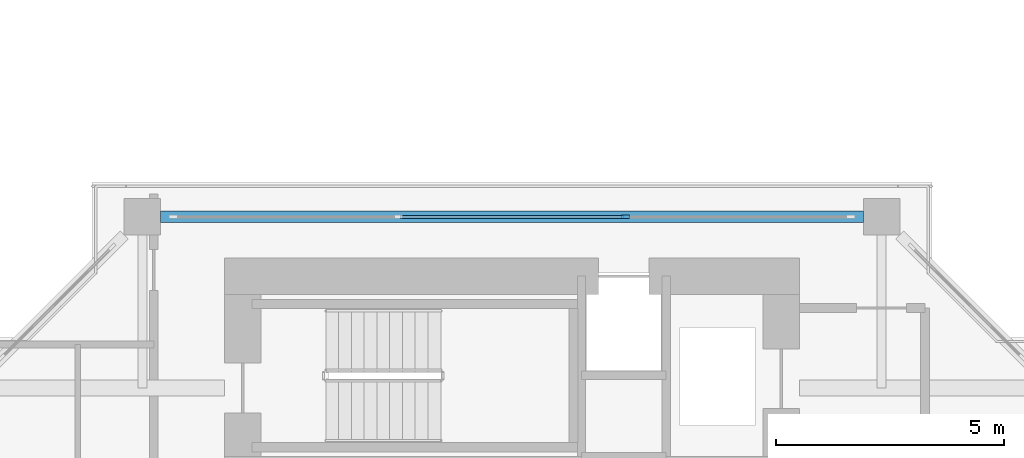
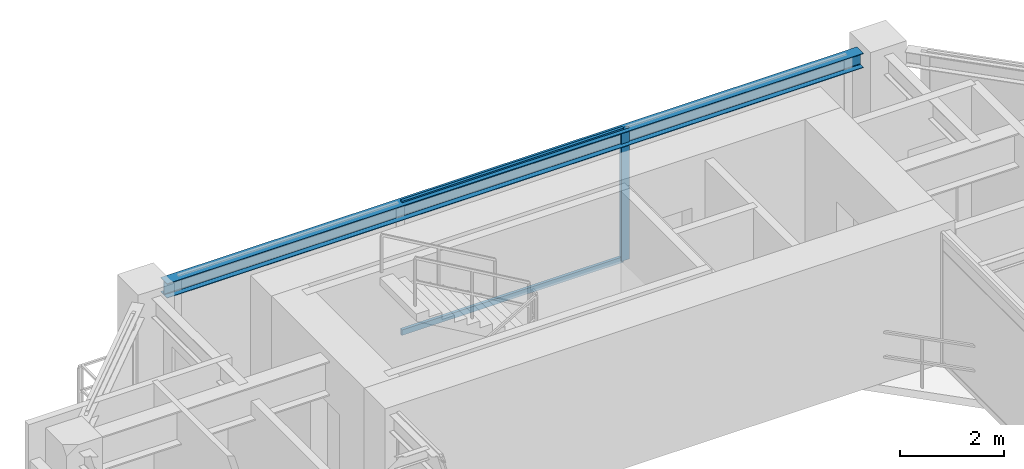
# One storey, part 10 of 24: 3 members, 1 beam, 1 element without a shape of its own.
"""IFC4 building model written with IfcOpenShell, lengths in metres."""

from ifc_helpers import new_model, si_unit, direction, frame, origin, origin_2d, place, context, subcontext, project, spatial, rectangle, i_section, extrude, source, transform, mapped, material, layer, layer_set, material_profile, profile_set, type_object, element, aggregate, save


model = new_model("IFC4")

# Units and contexts
model_context = context("Model", 3, precision=1e-05, world=origin(), true_north=direction((0.0, 1.0)))
body_context = subcontext(model_context, "Body", "Model", "MODEL_VIEW")
ifc_project = project(units=[si_unit("LENGTHUNIT", "METRE"), si_unit("AREAUNIT", "SQUARE_METRE"), si_unit("VOLUMEUNIT", "CUBIC_METRE"), si_unit("PLANEANGLEUNIT", "RADIAN"), si_unit("MASSUNIT", "GRAM", prefix="KILO"), si_unit("THERMODYNAMICTEMPERATUREUNIT", "KELVIN"), si_unit("POWERUNIT", "WATT")], contexts=[model_context])

# Site, building, storey
site_placement = place(None, origin())
site = spatial("IfcSite", under=ifc_project, at=site_placement, CompositionType="ELEMENT")
building_placement = place(site_placement, origin())
building = spatial("IfcBuilding", under=site, at=building_placement, Name="Qiaomeng Ring Towers", CompositionType="ELEMENT")
storey_placement = place(building_placement, frame((0.0, 0.0, 106.75)))
storey = spatial("IfcBuildingStorey", under=building, at=storey_placement, Name="L30", CompositionType="ELEMENT", Elevation=106.75)

# Beam
ifc_material_1 = material(Name="Steel Q355B", Category="steel")
ifc_material_profile_1 = material_profile(ifc_material_1, i_section(OverallWidth=0.25, OverallDepth=0.340087890625, WebThickness=0.009033203125, FlangeThickness=0.013916015625, FilletRadius=0.02001953125, at=origin_2d()), Name="HM 340x250x9x14")
ifc_profile_set_1 = profile_set([ifc_material_profile_1], Name="Steel Q355B")
beam_type = type_object("IfcBeamType", Name="STR-BM-HM340", PredefinedType="SPANDREL", material=ifc_profile_set_1)
shared_shape_1 = source(origin(), body_context, "Body", "SweptSolid", [
    extrude(i_section(OverallWidth=0.25, OverallDepth=0.340087890625, WebThickness=0.009033203125, FlangeThickness=0.013916015625, FilletRadius=0.02001953125, at=origin_2d()), origin(), (0.0, 0.0, 1.0), 15.40185546875),
])
beam_placement = place(storey_placement, frame((68.200927734375, 34.85009765625, 2.89990234375), z_axis=(-1.0, 0.0, 0.0), x_axis=(0.0, -1.0, 0.0)))
element("IfcBeam", 1, at=beam_placement, inside=storey, type_object=beam_type, Name="L30 beam STR-SP-L30-T2-N2-N1", PredefinedType="SPANDREL", context=body_context, shape_type="MappedRepresentation", body=[
    mapped(shared_shape_1, transform((0.0, 0.0, 0.0), x_axis=(1.0, 0.0, 0.0), y_axis=(0.0, 1.0, 0.0), z_axis=(0.0, 0.0, 1.0), scale=1.0)),
])

# Curtain wall, members
ifc_material_2 = material(Name="Fluorocarbon dark-grey aluminium", Category="aluminium")
ifc_layer = layer(ifc_material_2, 0.14990234375, Name="Fluorocarbon dark-grey aluminium")
ifc_layer_set = layer_set([ifc_layer], Name="Fluorocarbon dark-grey aluminium")
curtain_wall_type = type_object("IfcCurtainWallType", Name="ARC-CW-5", PredefinedType="NOTDEFINED", material=ifc_layer_set)
curtain_wall_placement = place(storey_placement, origin())
curtain_wall = element("IfcCurtainWall", 2, at=curtain_wall_placement, inside=storey, type_object=curtain_wall_type, Name="L30 Curtain Wall CW5", PredefinedType="NOTDEFINED")
ifc_material_profile_2 = material_profile(ifc_material_2, rectangle(XDim=0.070068359375, YDim=0.179931640625, at=origin_2d()), Name="ALU MULL 70x180")
ifc_profile_set_2 = profile_set([ifc_material_profile_2], Name="Fluorocarbon dark-grey aluminium")
member_type_1 = type_object("IfcMemberType", Name="ARC-CWM-160", PredefinedType="MULLION", material=ifc_profile_set_2)
shared_shape_2 = source(origin(), body_context, "Body", "SweptSolid", [
    extrude(rectangle(XDim=0.070068359375, YDim=0.179931640625, at=origin_2d()), origin(), (0.0, 0.0, 1.0), 3.070068359375),
])
member_1_placement = place(storey_placement, frame((62.986572265625, 34.85009765625, 0.0), z_axis=(0.0, 0.0, 1.0), x_axis=(0.0, 1.0, 0.0)))
member_1 = element("IfcMember", 3, at=member_1_placement, type_object=member_type_1, Name="CW5 mullion 3", PredefinedType="MULLION", context=body_context, shape_type="MappedRepresentation", body=[
    mapped(shared_shape_2, transform((0.0, 0.0, 0.0), x_axis=(1.0, 0.0, 0.0), y_axis=(0.0, 1.0, 0.0), z_axis=(0.0, 0.0, 1.0), scale=1.0)),
])
ifc_material_profile_3 = material_profile(ifc_material_2, rectangle(XDim=0.06494140625, YDim=0.1298828125, at=origin_2d()), Name="ALU TRAN 65x130")
ifc_profile_set_3 = profile_set([ifc_material_profile_3], Name="Fluorocarbon dark-grey aluminium")
member_type_2 = type_object("IfcMemberType", Name="ARC-CWT-120", PredefinedType="USERDEFINED", material=ifc_profile_set_3)
shared_shape_3 = source(origin(), body_context, "Body", "SweptSolid", [
    extrude(rectangle(XDim=0.06494140625, YDim=0.1298828125, at=origin_2d()), origin(), (0.0, 0.0, 1.0), 4.9033203125),
])
member_2_placement = place(storey_placement, frame((58.04833984375, 34.85009765625, 0.032470703125), z_axis=(1.0, 0.0, 0.0), x_axis=(0.0, 1.0, 0.0)))
member_2 = element("IfcMember", 4, at=member_2_placement, type_object=member_type_2, Name="CW5 transom 2.1", ObjectType="TRANSOM", PredefinedType="USERDEFINED", context=body_context, shape_type="MappedRepresentation", body=[
    mapped(shared_shape_3, transform((0.0, 0.0, 0.0), x_axis=(1.0, 0.0, 0.0), y_axis=(0.0, 1.0, 0.0), z_axis=(0.0, 0.0, 1.0), scale=1.0)),
])
member_3_placement = place(storey_placement, frame((58.04833984375, 34.85009765625, 3.03759765625), z_axis=(1.0, 0.0, 0.0), x_axis=(0.0, 1.0, 0.0)))
member_3 = element("IfcMember", 5, at=member_3_placement, type_object=member_type_2, Name="CW5 transom 2.2", ObjectType="TRANSOM", PredefinedType="USERDEFINED", context=body_context, shape_type="MappedRepresentation", body=[
    mapped(shared_shape_3, transform((0.0, 0.0, 0.0), x_axis=(1.0, 0.0, 0.0), y_axis=(0.0, 1.0, 0.0), z_axis=(0.0, 0.0, 1.0), scale=1.0)),
])
aggregate(curtain_wall, [member_1, member_2, member_3])

save(model, "model.ifc")
